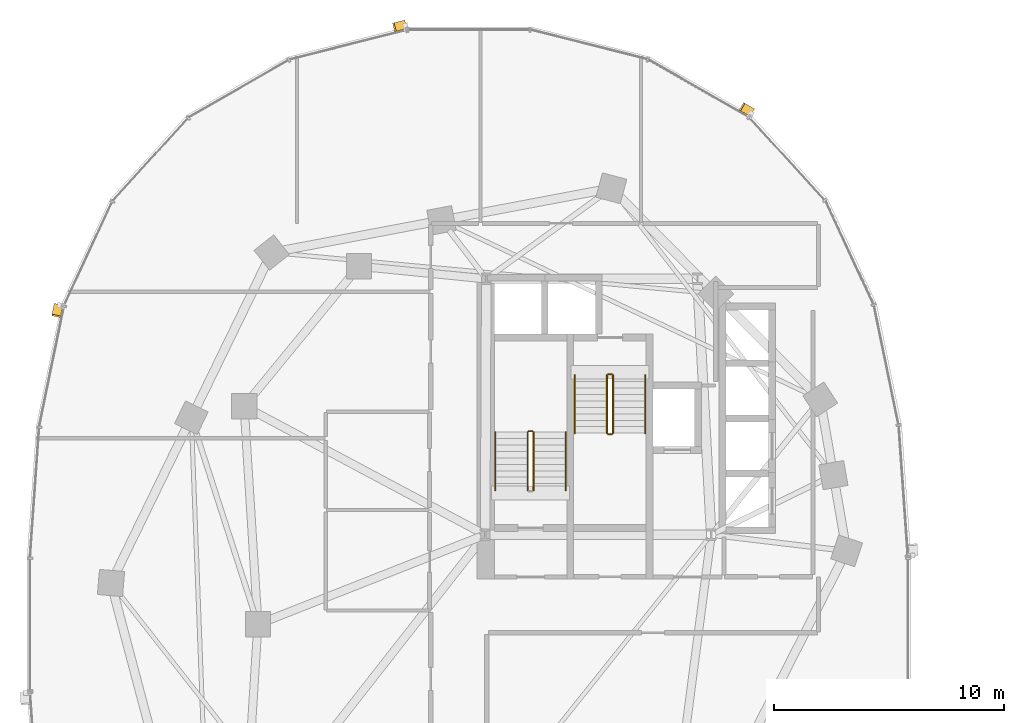
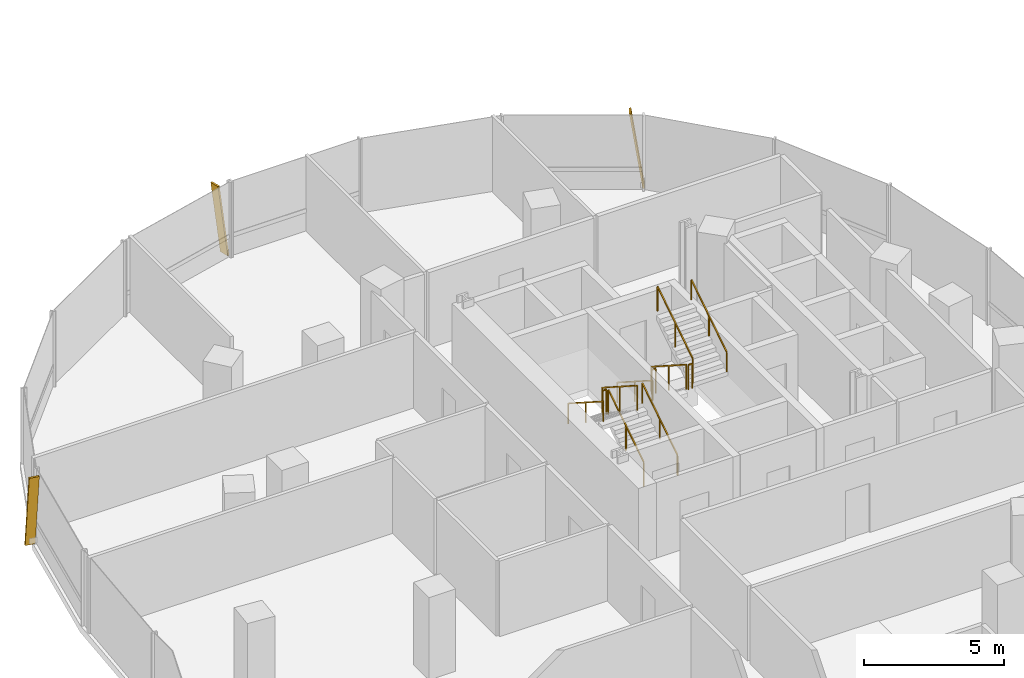
# One storey, part 19 of 21: 11 railings, 3 shading devices.
"""IFC4 building model written with IfcOpenShell, lengths in metres."""

from ifc_helpers import new_model, si_unit, direction, frame, origin, origin_2d, place, context, subcontext, project, spatial, rectangle, extrude, material, material_profile, profile_set, type_object, element, save


model = new_model("IFC4")

# Units and contexts
model_context = context("Model", 3, precision=1e-05, world=origin(), true_north=direction((0.0, 1.0)))
body_context = subcontext(model_context, "Body", "Model", "MODEL_VIEW")
ifc_project = project(units=[si_unit("LENGTHUNIT", "METRE"), si_unit("AREAUNIT", "SQUARE_METRE"), si_unit("VOLUMEUNIT", "CUBIC_METRE"), si_unit("PLANEANGLEUNIT", "RADIAN"), si_unit("MASSUNIT", "GRAM", prefix="KILO"), si_unit("THERMODYNAMICTEMPERATUREUNIT", "KELVIN"), si_unit("POWERUNIT", "WATT")], contexts=[model_context])

# Site, building, storey
site_placement = place(None, origin())
site = spatial("IfcSite", under=ifc_project, at=site_placement, CompositionType="ELEMENT")
building_placement = place(site_placement, origin())
building = spatial("IfcBuilding", under=site, at=building_placement, Name="Cundina Bronze Exchange", CompositionType="ELEMENT")
storey_placement = place(building_placement, frame((0.0, 0.0, 114.199951171875)))
storey = spatial("IfcBuildingStorey", under=building, at=storey_placement, Name="L29", CompositionType="ELEMENT", Elevation=114.199951171875)

# Railings
ifc_material_1 = material(Name="Steel ASTM A36 Painted", Category="steel")
railing_type_1 = type_object("IfcRailingType", Name="RLG-HND-900", PredefinedType="HANDRAIL", material=ifc_material_1)
railing_1_placement = place(storey_placement, frame((-27.7900390625, 5.85009765625, 0.179931640625)))
element("IfcRailing", 1, at=railing_1_placement, inside=storey, type_object=railing_type_1, Name="L29 ST-W1 stair handrail 1", PredefinedType="HANDRAIL", context=body_context, shape_type="SweptSolid", body=[
    extrude(rectangle(XDim=0.048095703125, YDim=0.048095703125, at=origin_2d()), frame((0.0, 0.0, 0.8759765625), z_axis=(0.0, 0.841162588446, 0.540782303519), x_axis=(-1.0, 0.0, 0.0)), (0.0, 0.0, 1.0), 2.995849609375),
    extrude(rectangle(XDim=0.0419921875, YDim=0.0419921875, at=origin_2d()), origin(), (0.0, 0.0, 1.0), 0.851806640625),
    extrude(rectangle(XDim=0.0419921875, YDim=0.0419921875, at=origin_2d()), frame((0.0, 1.260009765625, 0.81005859375)), (0.0, 0.0, 1.0), 0.851806640625),
    extrude(rectangle(XDim=0.0419921875, YDim=0.0419921875, at=origin_2d()), frame((0.0, 2.52001953125, 1.6201171875)), (0.0, 0.0, 1.0), 0.851806640625),
])
for number, where, name in (
    (2, (-30.85009765625, 8.3701171875, 1.97998046875), "L29 ST-W1 stair handrail 2"),
    (3, (-27.389892578125, 10.85009765625, 0.179931640625), "L29 ST-W2 stair handrail 1"),
):
    element("IfcRailing", number, at=place(storey_placement, frame(where)), inside=storey, type_object=railing_type_1, Name=name, PredefinedType="HANDRAIL", context=body_context, shape_type="SweptSolid", body=[
        extrude(rectangle(XDim=0.048095703125, YDim=0.048095703125, at=origin_2d()), frame((0.0, 0.0, 0.8759765625), z_axis=(0.0, -0.841162588446, 0.540782303519), x_axis=(1.0, 0.0, 0.0)), (0.0, 0.0, 1.0), 2.995849609375),
        extrude(rectangle(XDim=0.0419921875, YDim=0.0419921875, at=origin_2d()), origin(), (0.0, 0.0, 1.0), 0.851806640625),
        extrude(rectangle(XDim=0.0419921875, YDim=0.0419921875, at=origin_2d()), frame((0.0, -1.260009765625, 0.81005859375)), (0.0, 0.0, 1.0), 0.851806640625),
        extrude(rectangle(XDim=0.0419921875, YDim=0.0419921875, at=origin_2d()), frame((0.0, -2.52001953125, 1.6201171875)), (0.0, 0.0, 1.0), 0.851806640625),
    ])
railing_2_placement = place(storey_placement, frame((-24.330078125, 8.330078125, 1.97998046875)))
element("IfcRailing", 4, at=railing_2_placement, inside=storey, type_object=railing_type_1, Name="L29 ST-W2 stair handrail 2", PredefinedType="HANDRAIL", context=body_context, shape_type="SweptSolid", body=[
    extrude(rectangle(XDim=0.048095703125, YDim=0.048095703125, at=origin_2d()), frame((0.0, 0.0, 0.8759765625), z_axis=(0.0, 0.841162588446, 0.540782303519), x_axis=(-1.0, 0.0, 0.0)), (0.0, 0.0, 1.0), 2.995849609375),
    extrude(rectangle(XDim=0.0419921875, YDim=0.0419921875, at=origin_2d()), origin(), (0.0, 0.0, 1.0), 0.851806640625),
    extrude(rectangle(XDim=0.0419921875, YDim=0.0419921875, at=origin_2d()), frame((0.0, 1.260009765625, 0.81005859375)), (0.0, 0.0, 1.0), 0.851806640625),
    extrude(rectangle(XDim=0.0419921875, YDim=0.0419921875, at=origin_2d()), frame((0.0, 2.52001953125, 1.6201171875)), (0.0, 0.0, 1.0), 0.851806640625),
])
railing_type_2 = type_object("IfcRailingType", Name="RLG-STG-1100", PredefinedType="GUARDRAIL", material=ifc_material_1)
railing_3_placement = place(storey_placement, frame((-29.18994140625, 5.85009765625, 0.179931640625)))
element("IfcRailing", 5, at=railing_3_placement, inside=storey, type_object=railing_type_2, Name="L29 ST-W1 stair guard 1", PredefinedType="GUARDRAIL", context=body_context, shape_type="SweptSolid", body=[
    extrude(rectangle(XDim=0.048095703125, YDim=0.048095703125, at=origin_2d()), frame((0.0, 0.0, 1.076171875), z_axis=(0.0, 0.841162588446, 0.540782303519), x_axis=(-1.0, 0.0, 0.0)), (0.0, 0.0, 1.0), 2.995849609375),
    extrude(rectangle(XDim=0.0419921875, YDim=0.0419921875, at=origin_2d()), origin(), (0.0, 0.0, 1.0), 1.052001953125),
    extrude(rectangle(XDim=0.0419921875, YDim=0.0419921875, at=origin_2d()), frame((0.0, 1.260009765625, 0.81005859375)), (0.0, 0.0, 1.0), 1.052001953125),
    extrude(rectangle(XDim=0.0419921875, YDim=0.0419921875, at=origin_2d()), frame((0.0, 2.52001953125, 1.6201171875)), (0.0, 0.0, 1.0), 1.052001953125),
])
railing_4_placement = place(storey_placement, frame((-29.239990234375, 8.419921875, 1.800048828125)))
element("IfcRailing", 6, at=railing_4_placement, inside=storey, type_object=railing_type_2, Name="L29 ST-W1 stair guard 2", PredefinedType="GUARDRAIL", context=body_context, shape_type="SweptSolid", body=[
    extrude(rectangle(XDim=0.048095703125, YDim=0.048095703125, at=origin_2d()), frame((0.0, 0.0, 1.076171875), z_axis=(-1.0, 0.0, 0.0), x_axis=(0.0, -1.0, 0.0)), (0.0, 0.0, 1.0), 0.159912109375),
    extrude(rectangle(XDim=0.0419921875, YDim=0.0419921875, at=origin_2d()), origin(), (0.0, 0.0, 1.0), 1.052001953125),
    extrude(rectangle(XDim=0.0419921875, YDim=0.0419921875, at=origin_2d()), frame((-0.159912109375, 0.0, 0.0)), (0.0, 0.0, 1.0), 1.052001953125),
])
for number, where, name in (
    (7, (-29.449951171875, 8.3701171875, 1.97998046875), "L29 ST-W1 stair guard 3"),
    (8, (-25.989990234375, 10.85009765625, 0.179931640625), "L29 ST-W2 stair guard 1"),
):
    element("IfcRailing", number, at=place(storey_placement, frame(where)), inside=storey, type_object=railing_type_2, Name=name, PredefinedType="GUARDRAIL", context=body_context, shape_type="SweptSolid", body=[
        extrude(rectangle(XDim=0.048095703125, YDim=0.048095703125, at=origin_2d()), frame((0.0, 0.0, 1.076171875), z_axis=(0.0, -0.841162588446, 0.540782303519), x_axis=(1.0, 0.0, 0.0)), (0.0, 0.0, 1.0), 2.995849609375),
        extrude(rectangle(XDim=0.0419921875, YDim=0.0419921875, at=origin_2d()), origin(), (0.0, 0.0, 1.0), 1.052001953125),
        extrude(rectangle(XDim=0.0419921875, YDim=0.0419921875, at=origin_2d()), frame((0.0, -1.260009765625, 0.81005859375)), (0.0, 0.0, 1.0), 1.052001953125),
        extrude(rectangle(XDim=0.0419921875, YDim=0.0419921875, at=origin_2d()), frame((0.0, -2.52001953125, 1.6201171875)), (0.0, 0.0, 1.0), 1.052001953125),
    ])
railing_5_placement = place(storey_placement, frame((-25.93994140625, 8.280029296875, 1.800048828125)))
element("IfcRailing", 9, at=railing_5_placement, inside=storey, type_object=railing_type_2, Name="L29 ST-W2 stair guard 2", PredefinedType="GUARDRAIL", context=body_context, shape_type="SweptSolid", body=[
    extrude(rectangle(XDim=0.048095703125, YDim=0.048095703125, at=origin_2d()), frame((0.0, 0.0, 1.076171875), z_axis=(1.0, 0.0, 0.0), x_axis=(0.0, 1.0, 0.0)), (0.0, 0.0, 1.0), 0.159912109375),
    extrude(rectangle(XDim=0.0419921875, YDim=0.0419921875, at=origin_2d()), origin(), (0.0, 0.0, 1.0), 1.052001953125),
    extrude(rectangle(XDim=0.0419921875, YDim=0.0419921875, at=origin_2d()), frame((0.159912109375, 0.0, 0.0)), (0.0, 0.0, 1.0), 1.052001953125),
])
railing_6_placement = place(storey_placement, frame((-25.72998046875, 8.330078125, 1.97998046875)))
element("IfcRailing", 10, at=railing_6_placement, inside=storey, type_object=railing_type_2, Name="L29 ST-W2 stair guard 3", PredefinedType="GUARDRAIL", context=body_context, shape_type="SweptSolid", body=[
    extrude(rectangle(XDim=0.048095703125, YDim=0.048095703125, at=origin_2d()), frame((0.0, 0.0, 1.076171875), z_axis=(0.0, 0.841162588446, 0.540782303519), x_axis=(-1.0, 0.0, 0.0)), (0.0, 0.0, 1.0), 2.995849609375),
    extrude(rectangle(XDim=0.0419921875, YDim=0.0419921875, at=origin_2d()), origin(), (0.0, 0.0, 1.0), 1.052001953125),
    extrude(rectangle(XDim=0.0419921875, YDim=0.0419921875, at=origin_2d()), frame((0.0, 1.260009765625, 0.81005859375)), (0.0, 0.0, 1.0), 1.052001953125),
    extrude(rectangle(XDim=0.0419921875, YDim=0.0419921875, at=origin_2d()), frame((0.0, 2.52001953125, 1.6201171875)), (0.0, 0.0, 1.0), 1.052001953125),
])
railing_7_placement = place(storey_placement, frame((-25.93994140625, 10.89990234375, 0.0)))
element("IfcRailing", 11, at=railing_7_placement, inside=storey, type_object=railing_type_2, Name="L29 ST-W2 stair guard 4", PredefinedType="GUARDRAIL", context=body_context, shape_type="SweptSolid", body=[
    extrude(rectangle(XDim=0.048095703125, YDim=0.048095703125, at=origin_2d()), frame((0.0, 0.0, 1.076171875), z_axis=(1.0, 0.0, 0.0), x_axis=(0.0, 1.0, 0.0)), (0.0, 0.0, 1.0), 0.159912109375),
    extrude(rectangle(XDim=0.0419921875, YDim=0.0419921875, at=origin_2d()), origin(), (0.0, 0.0, 1.0), 1.052001953125),
    extrude(rectangle(XDim=0.0419921875, YDim=0.0419921875, at=origin_2d()), frame((0.159912109375, 0.0, 0.0)), (0.0, 0.0, 1.0), 1.052001953125),
])

# Shading devices
ifc_material_2 = material(Name="Anodised Bronze Aluminium 6063-T6", Category="aluminium")
ifc_material_profile = material_profile(ifc_material_2, rectangle(XDim=0.070068359375, YDim=0.3798828125, at=origin_2d()), Name="FIN70X380", Category="aluminium")
ifc_profile_set = profile_set([ifc_material_profile], Name="Anodised Bronze Aluminium 6063-T6")
shading_device_type = type_object("IfcShadingDeviceType", Name="SHD-FIN-BRZ380", PredefinedType="USERDEFINED", material=ifc_profile_set)
for number, where, z_axis, x_axis, name in (
    (12, (-19.685791015625, 22.314208984375, 0.02001953125), (-0.126324692219, 0.072534823274, 0.989333498649), (0.857958278167, -0.492634108109, 0.145668213594), "L29 Diagonal Bronze Solar Fin 5"),
    (13, (-34.787353515625, 26.138427734375, 0.02001953125), (-0.141217047268, -0.035711761166, 0.989334329575), (0.95914051701, 0.242552848478, 0.145662570088), "L29 Diagonal Bronze Solar Fin 1"),
    (14, (-49.89599609375, 13.911865234375, 0.02001953125), (-0.029413888538, -0.142698109128, 0.989329102378), (0.199728220342, 0.968958570224, 0.145698068578), "L29 Diagonal Bronze Solar Fin 5"),
):
    element("IfcShadingDevice", number, at=place(storey_placement, frame(where, z_axis=z_axis, x_axis=x_axis)), inside=storey, type_object=shading_device_type, Name=name, ObjectType="FIN", PredefinedType="USERDEFINED", context=body_context, shape_type="SweptSolid", body=[
        extrude(rectangle(XDim=0.070068359375, YDim=0.3798828125, at=origin_2d()), origin(), (0.0, 0.0, 1.0), 3.295166015625),
    ])

save(model, "model.ifc")
